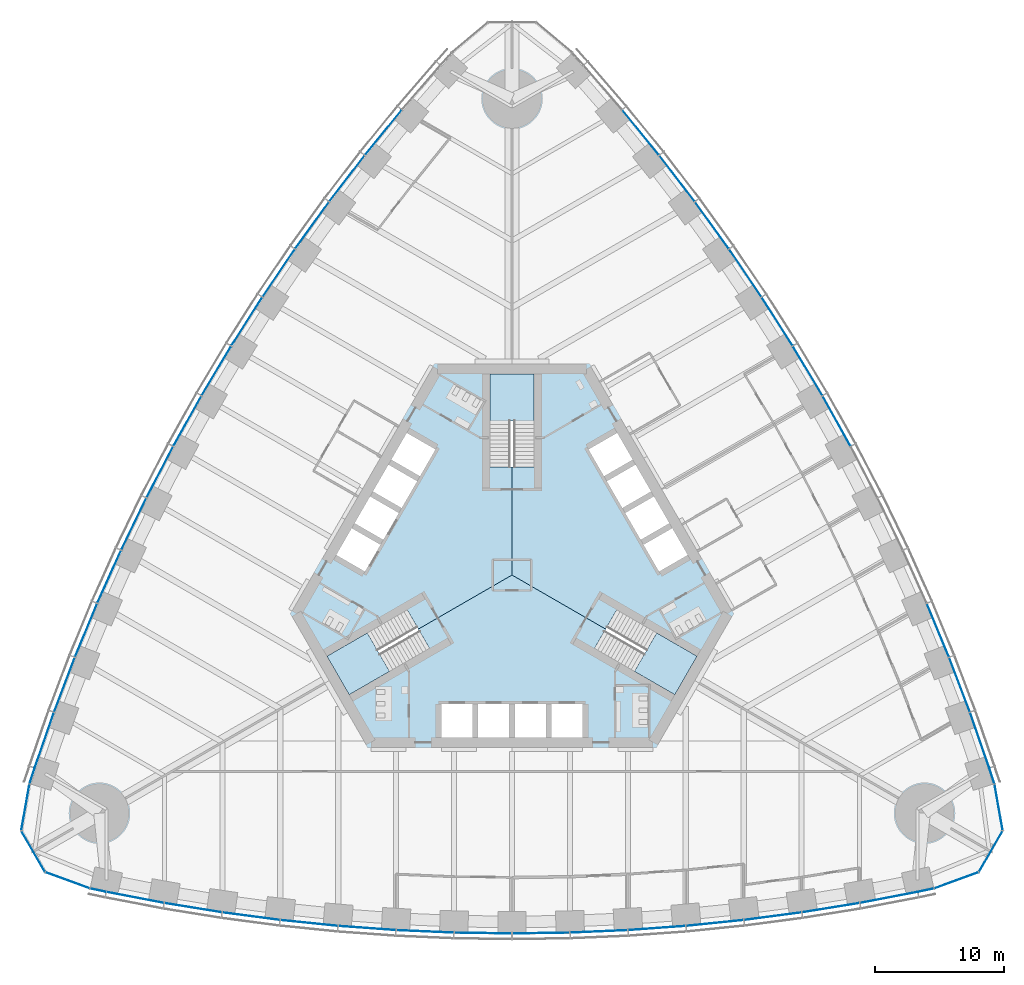
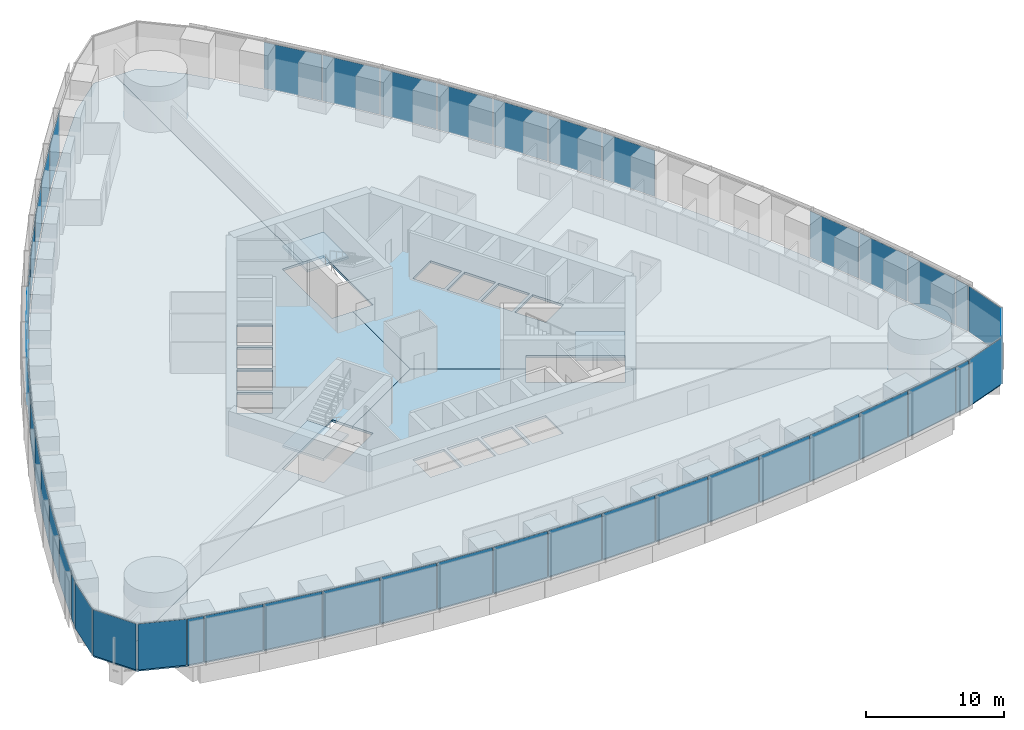
# One storey, part 8 of 19: 47 plates, 6 slabs, 8 elements without a shape of their own.
"""IFC4 building model written with IfcOpenShell, lengths in metres."""

from ifc_helpers import new_model, si_unit, direction, frame, origin, origin_2d, place, context, subcontext, project, spatial, polyline, rectangle, outline, extrude, material, layer, layer_set, type_object, element, aggregate, save


model = new_model("IFC4")

# Units and contexts
model_context = context("Model", 3, precision=1e-05, world=origin(), true_north=direction((0.0, 1.0)))
body_context = subcontext(model_context, "Body", "Model", "MODEL_VIEW")
ifc_project = project(units=[si_unit("LENGTHUNIT", "METRE"), si_unit("AREAUNIT", "SQUARE_METRE"), si_unit("VOLUMEUNIT", "CUBIC_METRE"), si_unit("PLANEANGLEUNIT", "RADIAN"), si_unit("MASSUNIT", "GRAM", prefix="KILO")], contexts=[model_context])

# Site, building, storey
site_placement = place(None, origin())
site = spatial("IfcSite", under=ifc_project, at=site_placement, CompositionType="ELEMENT")
building_placement = place(site_placement, origin())
building = spatial("IfcBuilding", under=site, at=building_placement, Name="Trefoil Bronze Tower", CompositionType="ELEMENT")
storey_placement = place(building_placement, frame((0.0, 0.0, 83.699951171875)))
storey = spatial("IfcBuildingStorey", under=building, at=storey_placement, Name="L19", CompositionType="ELEMENT", Elevation=83.699951171875)

# Curtain wall, plates
ifc_material_1 = material(Name="Tinted solar-control glass", Category="glass")
curtain_wall_type_1 = type_object("IfcCurtainWallType", Name="Bronze office curtain wall", PredefinedType="USERDEFINED", material=ifc_material_1)
curtain_wall_1_placement = place(storey_placement, origin())
curtain_wall_1 = element("IfcCurtainWall", 1, at=curtain_wall_1_placement, inside=storey, type_object=curtain_wall_type_1, Name="CW-A L19 F1", ObjectType="CURTAIN WALL", PredefinedType="USERDEFINED")
ifc_material_2 = material(Name="Tinted solar-control glass", Category="glass")
ifc_layer_1 = layer(ifc_material_2, 0.030029296875)
ifc_layer_set_1 = layer_set([ifc_layer_1], Name="Bronze office curtain wall glass panel")
plate_type_1 = type_object("IfcPlateType", Name="Bronze office curtain wall glass panel", PredefinedType="CURTAIN_PANEL", material=ifc_layer_set_1)
plate_1_placement = place(storey_placement, frame((-32.15185546875, -24.480224609375, 0.0), z_axis=(0.0, 0.0, 1.0), x_axis=(0.978302717041, -0.207180582657, 0.0)))
plate_1 = element("IfcPlate", 2, at=plate_1_placement, type_object=plate_type_1, Name="CW-A L19 F1 panel 1", PredefinedType="CURTAIN_PANEL", context=body_context, shape_type="SweptSolid", body=[
    extrude(rectangle(XDim=1.21044921875, YDim=0.030029296875, at=origin_2d()), origin(), (0.0, 0.0, 1.0), 4.080078125),
])
plate_2_placement = place(storey_placement, frame((-29.268798828125, -25.04638671875, 0.0), z_axis=(0.0, 0.0, 1.0), x_axis=(0.982049823817, -0.188621694249, 0.0)))
plate_2 = element("IfcPlate", 3, at=plate_2_placement, type_object=plate_type_1, Name="CW-A L19 F1 panel 2", PredefinedType="CURTAIN_PANEL", context=body_context, shape_type="SweptSolid", body=[
    extrude(rectangle(XDim=4.502197265625, YDim=0.030029296875, at=origin_2d()), origin(), (0.0, 0.0, 1.0), 4.080078125),
])
plate_3_placement = place(storey_placement, frame((-24.765869140625, -25.8427734375, 0.0), z_axis=(0.0, 0.0, 1.0), x_axis=(0.987181315145, -0.159602791421, 0.0)))
plate_3 = element("IfcPlate", 4, at=plate_3_placement, type_object=plate_type_1, Name="CW-A L19 F1 panel 3", PredefinedType="CURTAIN_PANEL", context=body_context, shape_type="SweptSolid", body=[
    extrude(rectangle(XDim=4.478515625, YDim=0.030029296875, at=origin_2d()), origin(), (0.0, 0.0, 1.0), 4.080078125),
])
plate_4_placement = place(storey_placement, frame((-20.262939453125, -26.50341796875, 0.0), z_axis=(0.0, 0.0, 1.0), x_axis=(0.991437251591, -0.130583981243, 0.0)))
plate_4 = element("IfcPlate", 5, at=plate_4_placement, type_object=plate_type_1, Name="CW-A L19 F1 panel 4", PredefinedType="CURTAIN_PANEL", context=body_context, shape_type="SweptSolid", body=[
    extrude(rectangle(XDim=4.458984375, YDim=0.030029296875, at=origin_2d()), origin(), (0.0, 0.0, 1.0), 4.080078125),
])
plate_5_placement = place(storey_placement, frame((-15.76025390625, -27.02978515625, 0.0), z_axis=(0.0, 0.0, 1.0), x_axis=(0.994828880293, -0.101565244717, 0.0)))
plate_5 = element("IfcPlate", 6, at=plate_5_placement, type_object=plate_type_1, Name="CW-A L19 F1 panel 5", PredefinedType="CURTAIN_PANEL", context=body_context, shape_type="SweptSolid", body=[
    extrude(rectangle(XDim=4.443359375, YDim=0.030029296875, at=origin_2d()), origin(), (0.0, 0.0, 1.0), 4.080078125),
])
plate_6_placement = place(storey_placement, frame((-11.25732421875, -27.42333984375, 0.0), z_axis=(0.0, 0.0, 1.0), x_axis=(0.99736502647, -0.072546564177, 0.0)))
plate_6 = element("IfcPlate", 7, at=plate_6_placement, type_object=plate_type_1, Name="CW-A L19 F1 panel 6", PredefinedType="CURTAIN_PANEL", context=body_context, shape_type="SweptSolid", body=[
    extrude(rectangle(XDim=4.431884765625, YDim=0.030029296875, at=origin_2d()), origin(), (0.0, 0.0, 1.0), 4.080078125),
])
plate_7_placement = place(storey_placement, frame((-6.75439453125, -27.685302734375, 0.0), z_axis=(0.0, 0.0, 1.0), x_axis=(0.999052210809, -0.043527922969, 0.0)))
plate_7 = element("IfcPlate", 8, at=plate_7_placement, type_object=plate_type_1, Name="CW-A L19 F1 panel 7", PredefinedType="CURTAIN_PANEL", context=body_context, shape_type="SweptSolid", body=[
    extrude(rectangle(XDim=4.42431640625, YDim=0.030029296875, at=origin_2d()), origin(), (0.0, 0.0, 1.0), 4.080078125),
])
plate_8_placement = place(storey_placement, frame((-2.25146484375, -27.816162109375, 0.0), z_axis=(0.0, 0.0, 1.0), x_axis=(0.999894734493, -0.014509305083, 0.0)))
plate_8 = element("IfcPlate", 9, at=plate_8_placement, type_object=plate_type_1, Name="CW-A L19 F1 panel 8", PredefinedType="CURTAIN_PANEL", context=body_context, shape_type="SweptSolid", body=[
    extrude(rectangle(XDim=4.42041015625, YDim=0.030029296875, at=origin_2d()), origin(), (0.0, 0.0, 1.0), 4.080078125),
])
plate_9_placement = place(storey_placement, frame((2.25146484375, -27.816162109375, 0.0), z_axis=(0.0, 0.0, 1.0), x_axis=(0.999894734493, 0.014509305083, 0.0)))
plate_9 = element("IfcPlate", 10, at=plate_9_placement, type_object=plate_type_1, Name="CW-A L19 F1 panel 9", PredefinedType="CURTAIN_PANEL", context=body_context, shape_type="SweptSolid", body=[
    extrude(rectangle(XDim=4.42041015625, YDim=0.030029296875, at=origin_2d()), origin(), (0.0, 0.0, 1.0), 4.080078125),
])
plate_10_placement = place(storey_placement, frame((6.75439453125, -27.685302734375, 0.0), z_axis=(0.0, 0.0, 1.0), x_axis=(0.999052210809, 0.043527922969, 0.0)))
plate_10 = element("IfcPlate", 11, at=plate_10_placement, type_object=plate_type_1, Name="CW-A L19 F1 panel 10", PredefinedType="CURTAIN_PANEL", context=body_context, shape_type="SweptSolid", body=[
    extrude(rectangle(XDim=4.42431640625, YDim=0.030029296875, at=origin_2d()), origin(), (0.0, 0.0, 1.0), 4.080078125),
])
plate_11_placement = place(storey_placement, frame((11.25732421875, -27.42333984375, 0.0), z_axis=(0.0, 0.0, 1.0), x_axis=(0.99736502647, 0.072546564177, 0.0)))
plate_11 = element("IfcPlate", 12, at=plate_11_placement, type_object=plate_type_1, Name="CW-A L19 F1 panel 11", PredefinedType="CURTAIN_PANEL", context=body_context, shape_type="SweptSolid", body=[
    extrude(rectangle(XDim=4.431884765625, YDim=0.030029296875, at=origin_2d()), origin(), (0.0, 0.0, 1.0), 4.080078125),
])
plate_12_placement = place(storey_placement, frame((15.76025390625, -27.02978515625, 0.0), z_axis=(0.0, 0.0, 1.0), x_axis=(0.994828880293, 0.101565244717, 0.0)))
plate_12 = element("IfcPlate", 13, at=plate_12_placement, type_object=plate_type_1, Name="CW-A L19 F1 panel 12", PredefinedType="CURTAIN_PANEL", context=body_context, shape_type="SweptSolid", body=[
    extrude(rectangle(XDim=4.443359375, YDim=0.030029296875, at=origin_2d()), origin(), (0.0, 0.0, 1.0), 4.080078125),
])
plate_13_placement = place(storey_placement, frame((20.262939453125, -26.50341796875, 0.0), z_axis=(0.0, 0.0, 1.0), x_axis=(0.991437251591, 0.130583981243, 0.0)))
plate_13 = element("IfcPlate", 14, at=plate_13_placement, type_object=plate_type_1, Name="CW-A L19 F1 panel 13", PredefinedType="CURTAIN_PANEL", context=body_context, shape_type="SweptSolid", body=[
    extrude(rectangle(XDim=4.458984375, YDim=0.030029296875, at=origin_2d()), origin(), (0.0, 0.0, 1.0), 4.080078125),
])
plate_14_placement = place(storey_placement, frame((24.765869140625, -25.8427734375, 0.0), z_axis=(0.0, 0.0, 1.0), x_axis=(0.987181315145, 0.159602791421, 0.0)))
plate_14 = element("IfcPlate", 15, at=plate_14_placement, type_object=plate_type_1, Name="CW-A L19 F1 panel 14", PredefinedType="CURTAIN_PANEL", context=body_context, shape_type="SweptSolid", body=[
    extrude(rectangle(XDim=4.478515625, YDim=0.030029296875, at=origin_2d()), origin(), (0.0, 0.0, 1.0), 4.080078125),
])
plate_15_placement = place(storey_placement, frame((29.268798828125, -25.04638671875, 0.0), z_axis=(0.0, 0.0, 1.0), x_axis=(0.982049823817, 0.188621694249, 0.0)))
plate_15 = element("IfcPlate", 16, at=plate_15_placement, type_object=plate_type_1, Name="CW-A L19 F1 panel 15", PredefinedType="CURTAIN_PANEL", context=body_context, shape_type="SweptSolid", body=[
    extrude(rectangle(XDim=4.502197265625, YDim=0.030029296875, at=origin_2d()), origin(), (0.0, 0.0, 1.0), 4.080078125),
])
plate_16_placement = place(storey_placement, frame((32.15185546875, -24.480224609375, 0.0), z_axis=(0.0, 0.0, 1.0), x_axis=(0.978302717041, 0.207180582657, 0.0)))
plate_16 = element("IfcPlate", 17, at=plate_16_placement, type_object=plate_type_1, Name="CW-A L19 F1 panel 16", PredefinedType="CURTAIN_PANEL", context=body_context, shape_type="SweptSolid", body=[
    extrude(rectangle(XDim=1.21044921875, YDim=0.030029296875, at=origin_2d()), origin(), (0.0, 0.0, 1.0), 4.080078125),
])
aggregate(curtain_wall_1, [plate_1, plate_2, plate_3, plate_4, plate_5, plate_6, plate_7, plate_8, plate_9, plate_10, plate_11, plate_12, plate_13, plate_14, plate_15, plate_16])

curtain_wall_2_placement = place(storey_placement, origin())
curtain_wall_2 = element("IfcCurtainWall", 18, at=curtain_wall_2_placement, inside=storey, type_object=curtain_wall_type_1, Name="CW-A L19 F2", ObjectType="CURTAIN WALL", PredefinedType="USERDEFINED")
plate_17_placement = place(storey_placement, frame((37.2763671875, -15.604248046875, 0.0), z_axis=(0.0, 0.0, 1.0), x_axis=(-0.309727710769, 0.950825296877, 0.0)))
plate_17 = element("IfcPlate", 19, at=plate_17_placement, type_object=plate_type_1, Name="CW-A L19 F2 panel 1", PredefinedType="CURTAIN_PANEL", context=body_context, shape_type="SweptSolid", body=[
    extrude(rectangle(XDim=1.21044921875, YDim=0.030029296875, at=origin_2d()), origin(), (0.0, 0.0, 1.0), 4.080078125),
])
plate_18_placement = place(storey_placement, frame((36.3251953125, -12.824462890625, 0.0), z_axis=(0.0, 0.0, 1.0), x_axis=(-0.327673732984, 0.944790942332, 0.0)))
plate_18 = element("IfcPlate", 20, at=plate_18_placement, type_object=plate_type_1, Name="CW-A L19 F2 panel 2", PredefinedType="CURTAIN_PANEL", context=body_context, shape_type="SweptSolid", body=[
    extrude(rectangle(XDim=4.502197265625, YDim=0.030029296875, at=origin_2d()), origin(), (0.0, 0.0, 1.0), 4.080078125),
])
plate_19_placement = place(storey_placement, frame((34.763427734375, -8.526611328125, 0.0), z_axis=(0.0, 0.0, 1.0), x_axis=(-0.355370585687, 0.934725492767, 0.0)))
plate_19 = element("IfcPlate", 21, at=plate_19_placement, type_object=plate_type_1, Name="CW-A L19 F2 panel 3", PredefinedType="CURTAIN_PANEL", context=body_context, shape_type="SweptSolid", body=[
    extrude(rectangle(XDim=4.478515625, YDim=0.030029296875, at=origin_2d()), origin(), (0.0, 0.0, 1.0), 4.080078125),
])
plate_20_placement = place(storey_placement, frame((33.084228515625, -4.296630859375, 0.0), z_axis=(0.0, 0.0, 1.0), x_axis=(-0.382629580712, 0.923901836758, 0.0)))
plate_20 = element("IfcPlate", 22, at=plate_20_placement, type_object=plate_type_1, Name="CW-A L19 F2 panel 4", PredefinedType="CURTAIN_PANEL", context=body_context, shape_type="SweptSolid", body=[
    extrude(rectangle(XDim=4.458984375, YDim=0.030029296875, at=origin_2d()), origin(), (0.0, 0.0, 1.0), 4.080078125),
])
plate_21_placement = place(storey_placement, frame((25.215087890625, 11.958251953125, 0.0), z_axis=(0.0, 0.0, 1.0), x_axis=(-0.487381940453, 0.873188893722, 0.0)))
plate_21 = element("IfcPlate", 23, at=plate_21_placement, type_object=plate_type_1, Name="CW-A L19 F2 panel 8", PredefinedType="CURTAIN_PANEL", context=body_context, shape_type="SweptSolid", body=[
    extrude(rectangle(XDim=4.42041015625, YDim=0.030029296875, at=origin_2d()), origin(), (0.0, 0.0, 1.0), 4.080078125),
])
plate_22_placement = place(storey_placement, frame((22.963623046875, 15.85791015625, 0.0), z_axis=(0.0, 0.0, 1.0), x_axis=(-0.51251279404, 0.858679588639, 0.0)))
plate_22 = element("IfcPlate", 24, at=plate_22_placement, type_object=plate_type_1, Name="CW-A L19 F2 panel 9", PredefinedType="CURTAIN_PANEL", context=body_context, shape_type="SweptSolid", body=[
    extrude(rectangle(XDim=4.42041015625, YDim=0.030029296875, at=origin_2d()), origin(), (0.0, 0.0, 1.0), 4.080078125),
])
plate_23_placement = place(storey_placement, frame((20.598876953125, 19.692138671875, 0.0), z_axis=(0.0, 0.0, 1.0), x_axis=(-0.537222392469, 0.843440632783, 0.0)))
plate_23 = element("IfcPlate", 25, at=plate_23_placement, type_object=plate_type_1, Name="CW-A L19 F2 panel 10", PredefinedType="CURTAIN_PANEL", context=body_context, shape_type="SweptSolid", body=[
    extrude(rectangle(XDim=4.42431640625, YDim=0.030029296875, at=origin_2d()), origin(), (0.0, 0.0, 1.0), 4.080078125),
])
plate_24_placement = place(storey_placement, frame((18.120849609375, 23.460693359375, 0.0), z_axis=(0.0, 0.0, 1.0), x_axis=(-0.56150968077, 0.827470167681, 0.0)))
plate_24 = element("IfcPlate", 26, at=plate_24_placement, type_object=plate_type_1, Name="CW-A L19 F2 panel 11", PredefinedType="CURTAIN_PANEL", context=body_context, shape_type="SweptSolid", body=[
    extrude(rectangle(XDim=4.431884765625, YDim=0.030029296875, at=origin_2d()), origin(), (0.0, 0.0, 1.0), 4.080078125),
])
plate_25_placement = place(storey_placement, frame((15.5283203125, 27.16357421875, 0.0), z_axis=(0.0, 0.0, 1.0), x_axis=(-0.585372522213, 0.810764460394, 0.0)))
plate_25 = element("IfcPlate", 27, at=plate_25_placement, type_object=plate_type_1, Name="CW-A L19 F2 panel 12", PredefinedType="CURTAIN_PANEL", context=body_context, shape_type="SweptSolid", body=[
    extrude(rectangle(XDim=4.443359375, YDim=0.030029296875, at=origin_2d()), origin(), (0.0, 0.0, 1.0), 4.080078125),
])
plate_26_placement = place(storey_placement, frame((12.821044921875, 30.800048828125, 0.0), z_axis=(0.0, 0.0, 1.0), x_axis=(-0.608807670879, 0.793317855515, 0.0)))
plate_26 = element("IfcPlate", 28, at=plate_26_placement, type_object=plate_type_1, Name="CW-A L19 F2 panel 13", PredefinedType="CURTAIN_PANEL", context=body_context, shape_type="SweptSolid", body=[
    extrude(rectangle(XDim=4.458984375, YDim=0.030029296875, at=origin_2d()), origin(), (0.0, 0.0, 1.0), 4.080078125),
])
plate_27_placement = place(storey_placement, frame((9.99755859375, 34.369384765625, 0.0), z_axis=(0.0, 0.0, 1.0), x_axis=(-0.631810729457, 0.775122701346, 0.0)))
plate_27 = element("IfcPlate", 29, at=plate_27_placement, type_object=plate_type_1, Name="CW-A L19 F2 panel 14", PredefinedType="CURTAIN_PANEL", context=body_context, shape_type="SweptSolid", body=[
    extrude(rectangle(XDim=4.478515625, YDim=0.030029296875, at=origin_2d()), origin(), (0.0, 0.0, 1.0), 4.080078125),
])
aggregate(curtain_wall_2, [plate_17, plate_18, plate_19, plate_20, plate_21, plate_22, plate_23, plate_24, plate_25, plate_26, plate_27])

curtain_wall_3_placement = place(storey_placement, origin())
curtain_wall_3 = element("IfcCurtainWall", 30, at=curtain_wall_3_placement, inside=storey, type_object=curtain_wall_type_1, Name="CW-A L19 F3", ObjectType="CURTAIN WALL", PredefinedType="USERDEFINED")
plate_28_placement = place(storey_placement, frame((-9.99755859375, 34.369384765625, 0.0), z_axis=(0.0, 0.0, 1.0), x_axis=(-0.631810729457, -0.775122701346, 0.0)))
plate_28 = element("IfcPlate", 31, at=plate_28_placement, type_object=plate_type_1, Name="CW-A L19 F3 panel 3", PredefinedType="CURTAIN_PANEL", context=body_context, shape_type="SweptSolid", body=[
    extrude(rectangle(XDim=4.478515625, YDim=0.030029296875, at=origin_2d()), origin(), (0.0, 0.0, 1.0), 4.080078125),
])
plate_29_placement = place(storey_placement, frame((-12.821044921875, 30.800048828125, 0.0), z_axis=(0.0, 0.0, 1.0), x_axis=(-0.608807670879, -0.793317855515, 0.0)))
plate_29 = element("IfcPlate", 32, at=plate_29_placement, type_object=plate_type_1, Name="CW-A L19 F3 panel 4", PredefinedType="CURTAIN_PANEL", context=body_context, shape_type="SweptSolid", body=[
    extrude(rectangle(XDim=4.458984375, YDim=0.030029296875, at=origin_2d()), origin(), (0.0, 0.0, 1.0), 4.080078125),
])
plate_30_placement = place(storey_placement, frame((-15.5283203125, 27.16357421875, 0.0), z_axis=(0.0, 0.0, 1.0), x_axis=(-0.585372522213, -0.810764460394, 0.0)))
plate_30 = element("IfcPlate", 33, at=plate_30_placement, type_object=plate_type_1, Name="CW-A L19 F3 panel 5", PredefinedType="CURTAIN_PANEL", context=body_context, shape_type="SweptSolid", body=[
    extrude(rectangle(XDim=4.443359375, YDim=0.030029296875, at=origin_2d()), origin(), (0.0, 0.0, 1.0), 4.080078125),
])
plate_31_placement = place(storey_placement, frame((-18.120849609375, 23.460693359375, 0.0), z_axis=(0.0, 0.0, 1.0), x_axis=(-0.56150968077, -0.827470167681, 0.0)))
plate_31 = element("IfcPlate", 34, at=plate_31_placement, type_object=plate_type_1, Name="CW-A L19 F3 panel 6", PredefinedType="CURTAIN_PANEL", context=body_context, shape_type="SweptSolid", body=[
    extrude(rectangle(XDim=4.431884765625, YDim=0.030029296875, at=origin_2d()), origin(), (0.0, 0.0, 1.0), 4.080078125),
])
plate_32_placement = place(storey_placement, frame((-20.598876953125, 19.692138671875, 0.0), z_axis=(0.0, 0.0, 1.0), x_axis=(-0.537222392469, -0.843440632783, 0.0)))
plate_32 = element("IfcPlate", 35, at=plate_32_placement, type_object=plate_type_1, Name="CW-A L19 F3 panel 7", PredefinedType="CURTAIN_PANEL", context=body_context, shape_type="SweptSolid", body=[
    extrude(rectangle(XDim=4.42431640625, YDim=0.030029296875, at=origin_2d()), origin(), (0.0, 0.0, 1.0), 4.080078125),
])
plate_33_placement = place(storey_placement, frame((-22.963623046875, 15.85791015625, 0.0), z_axis=(0.0, 0.0, 1.0), x_axis=(-0.51251279404, -0.858679588639, 0.0)))
plate_33 = element("IfcPlate", 36, at=plate_33_placement, type_object=plate_type_1, Name="CW-A L19 F3 panel 8", PredefinedType="CURTAIN_PANEL", context=body_context, shape_type="SweptSolid", body=[
    extrude(rectangle(XDim=4.42041015625, YDim=0.030029296875, at=origin_2d()), origin(), (0.0, 0.0, 1.0), 4.080078125),
])
plate_34_placement = place(storey_placement, frame((-25.215087890625, 11.958251953125, 0.0), z_axis=(0.0, 0.0, 1.0), x_axis=(-0.487381940453, -0.873188893722, 0.0)))
plate_34 = element("IfcPlate", 37, at=plate_34_placement, type_object=plate_type_1, Name="CW-A L19 F3 panel 9", PredefinedType="CURTAIN_PANEL", context=body_context, shape_type="SweptSolid", body=[
    extrude(rectangle(XDim=4.42041015625, YDim=0.030029296875, at=origin_2d()), origin(), (0.0, 0.0, 1.0), 4.080078125),
])
plate_35_placement = place(storey_placement, frame((-27.353271484375, 7.9931640625, 0.0), z_axis=(0.0, 0.0, 1.0), x_axis=(-0.46182981834, -0.886968555752, 0.0)))
plate_35 = element("IfcPlate", 38, at=plate_35_placement, type_object=plate_type_1, Name="CW-A L19 F3 panel 10", PredefinedType="CURTAIN_PANEL", context=body_context, shape_type="SweptSolid", body=[
    extrude(rectangle(XDim=4.42431640625, YDim=0.030029296875, at=origin_2d()), origin(), (0.0, 0.0, 1.0), 4.080078125),
])
plate_36_placement = place(storey_placement, frame((-29.3779296875, 3.962646484375, 0.0), z_axis=(0.0, 0.0, 1.0), x_axis=(-0.4358553457, -0.900016731858, 0.0)))
plate_36 = element("IfcPlate", 39, at=plate_36_placement, type_object=plate_type_1, Name="CW-A L19 F3 panel 11", PredefinedType="CURTAIN_PANEL", context=body_context, shape_type="SweptSolid", body=[
    extrude(rectangle(XDim=4.431884765625, YDim=0.030029296875, at=origin_2d()), origin(), (0.0, 0.0, 1.0), 4.080078125),
])
plate_37_placement = place(storey_placement, frame((-31.28857421875, -0.1337890625, 0.0), z_axis=(0.0, 0.0, 1.0), x_axis=(-0.40945635808, -0.912329705111, 0.0)))
plate_37 = element("IfcPlate", 40, at=plate_37_placement, type_object=plate_type_1, Name="CW-A L19 F3 panel 12", PredefinedType="CURTAIN_PANEL", context=body_context, shape_type="SweptSolid", body=[
    extrude(rectangle(XDim=4.443359375, YDim=0.030029296875, at=origin_2d()), origin(), (0.0, 0.0, 1.0), 4.080078125),
])
plate_38_placement = place(storey_placement, frame((-33.084228515625, -4.296630859375, 0.0), z_axis=(0.0, 0.0, 1.0), x_axis=(-0.382629580712, -0.923901836758, 0.0)))
plate_38 = element("IfcPlate", 41, at=plate_38_placement, type_object=plate_type_1, Name="CW-A L19 F3 panel 13", PredefinedType="CURTAIN_PANEL", context=body_context, shape_type="SweptSolid", body=[
    extrude(rectangle(XDim=4.458984375, YDim=0.030029296875, at=origin_2d()), origin(), (0.0, 0.0, 1.0), 4.080078125),
])
plate_39_placement = place(storey_placement, frame((-34.763427734375, -8.526611328125, 0.0), z_axis=(0.0, 0.0, 1.0), x_axis=(-0.355370585687, -0.934725492767, 0.0)))
plate_39 = element("IfcPlate", 42, at=plate_39_placement, type_object=plate_type_1, Name="CW-A L19 F3 panel 14", PredefinedType="CURTAIN_PANEL", context=body_context, shape_type="SweptSolid", body=[
    extrude(rectangle(XDim=4.478515625, YDim=0.030029296875, at=origin_2d()), origin(), (0.0, 0.0, 1.0), 4.080078125),
])
plate_40_placement = place(storey_placement, frame((-36.3251953125, -12.824462890625, 0.0), z_axis=(0.0, 0.0, 1.0), x_axis=(-0.327673732984, -0.944790942332, 0.0)))
plate_40 = element("IfcPlate", 43, at=plate_40_placement, type_object=plate_type_1, Name="CW-A L19 F3 panel 15", PredefinedType="CURTAIN_PANEL", context=body_context, shape_type="SweptSolid", body=[
    extrude(rectangle(XDim=4.502197265625, YDim=0.030029296875, at=origin_2d()), origin(), (0.0, 0.0, 1.0), 4.080078125),
])
plate_41_placement = place(storey_placement, frame((-37.2763671875, -15.604248046875, 0.0), z_axis=(0.0, 0.0, 1.0), x_axis=(-0.309727710769, -0.950825296877, 0.0)))
plate_41 = element("IfcPlate", 44, at=plate_41_placement, type_object=plate_type_1, Name="CW-A L19 F3 panel 16", PredefinedType="CURTAIN_PANEL", context=body_context, shape_type="SweptSolid", body=[
    extrude(rectangle(XDim=1.21044921875, YDim=0.030029296875, at=origin_2d()), origin(), (0.0, 0.0, 1.0), 4.080078125),
])
aggregate(curtain_wall_3, [plate_28, plate_29, plate_30, plate_31, plate_32, plate_33, plate_34, plate_35, plate_36, plate_37, plate_38, plate_39, plate_40, plate_41])

ifc_material_3 = material(Name="Tinted solar-control glass", Category="glass")
curtain_wall_type_2 = type_object("IfcCurtainWallType", Name="Bronze rounded corner curtain wall", PredefinedType="USERDEFINED", material=ifc_material_3)
curtain_wall_4_placement = place(storey_placement, origin())
curtain_wall_4 = element("IfcCurtainWall", 45, at=curtain_wall_4_placement, inside=storey, type_object=curtain_wall_type_2, Name="CW-B L19 K1", ObjectType="CURTAIN WALL", PredefinedType="USERDEFINED")
ifc_material_4 = material(Name="Tinted solar-control glass", Category="glass")
ifc_layer_2 = layer(ifc_material_4, 0.030029296875)
ifc_layer_set_2 = layer_set([ifc_layer_2], Name="Bronze rounded corner curtain wall glass panel")
plate_type_2 = type_object("IfcPlateType", Name="Bronze rounded corner curtain wall glass panel", PredefinedType="CURTAIN_PANEL", material=ifc_layer_set_2)
plate_42_placement = place(storey_placement, frame((34.5107421875, -23.71875, 0.0), z_axis=(0.0, 0.0, 1.0), x_axis=(0.939692620786, 0.342020143326, 0.0)))
plate_42 = element("IfcPlate", 46, at=plate_42_placement, type_object=plate_type_2, Name="CW-B L19 K1 panel 1", PredefinedType="CURTAIN_PANEL", context=body_context, shape_type="SweptSolid", body=[
    extrude(rectangle(XDim=3.588134765625, YDim=0.030029296875, at=origin_2d()), origin(), (0.0, 0.0, 1.0), 4.080078125),
])
plate_43_placement = place(storey_placement, frame((37.189208984375, -21.47119140625, 0.0), z_axis=(0.0, 0.0, 1.0), x_axis=(0.5, 0.866025403784, 0.0)))
plate_43 = element("IfcPlate", 47, at=plate_43_placement, type_object=plate_type_2, Name="CW-B L19 K1 panel 2", PredefinedType="CURTAIN_PANEL", context=body_context, shape_type="SweptSolid", body=[
    extrude(rectangle(XDim=3.588134765625, YDim=0.030029296875, at=origin_2d()), origin(), (0.0, 0.0, 1.0), 4.080078125),
])
plate_44_placement = place(storey_placement, frame((37.79638671875, -18.02783203125, 0.0), z_axis=(0.0, 0.0, 1.0), x_axis=(-0.173648177667, 0.984807753012, 0.0)))
plate_44 = element("IfcPlate", 48, at=plate_44_placement, type_object=plate_type_2, Name="CW-B L19 K1 panel 3", PredefinedType="CURTAIN_PANEL", context=body_context, shape_type="SweptSolid", body=[
    extrude(rectangle(XDim=3.588134765625, YDim=0.030029296875, at=origin_2d()), origin(), (0.0, 0.0, 1.0), 4.080078125),
])
aggregate(curtain_wall_4, [plate_42, plate_43, plate_44])

curtain_wall_5_placement = place(storey_placement, origin())
curtain_wall_5 = element("IfcCurtainWall", 49, at=curtain_wall_5_placement, inside=storey, type_object=curtain_wall_type_2, Name="CW-B L19 K3", ObjectType="CURTAIN WALL", PredefinedType="USERDEFINED")
plate_45_placement = place(storey_placement, frame((-37.79638671875, -18.02783203125, 0.0), z_axis=(0.0, 0.0, 1.0), x_axis=(-0.173648177667, -0.984807753012, 0.0)))
plate_45 = element("IfcPlate", 50, at=plate_45_placement, type_object=plate_type_2, Name="CW-B L19 K3 panel 1", PredefinedType="CURTAIN_PANEL", context=body_context, shape_type="SweptSolid", body=[
    extrude(rectangle(XDim=3.588134765625, YDim=0.030029296875, at=origin_2d()), origin(), (0.0, 0.0, 1.0), 4.080078125),
])
plate_46_placement = place(storey_placement, frame((-37.189208984375, -21.47119140625, 0.0), z_axis=(0.0, 0.0, 1.0), x_axis=(0.5, -0.866025403784, 0.0)))
plate_46 = element("IfcPlate", 51, at=plate_46_placement, type_object=plate_type_2, Name="CW-B L19 K3 panel 2", PredefinedType="CURTAIN_PANEL", context=body_context, shape_type="SweptSolid", body=[
    extrude(rectangle(XDim=3.588134765625, YDim=0.030029296875, at=origin_2d()), origin(), (0.0, 0.0, 1.0), 4.080078125),
])
plate_47_placement = place(storey_placement, frame((-34.5107421875, -23.71875, 0.0), z_axis=(0.0, 0.0, 1.0), x_axis=(0.939692620786, -0.342020143326, 0.0)))
plate_47 = element("IfcPlate", 52, at=plate_47_placement, type_object=plate_type_2, Name="CW-B L19 K3 panel 3", PredefinedType="CURTAIN_PANEL", context=body_context, shape_type="SweptSolid", body=[
    extrude(rectangle(XDim=3.588134765625, YDim=0.030029296875, at=origin_2d()), origin(), (0.0, 0.0, 1.0), 4.080078125),
])
aggregate(curtain_wall_5, [plate_45, plate_46, plate_47])

# Slabs
ifc_material_5 = material(Name="Concrete B30", Category="concrete")
ifc_layer_3 = layer(ifc_material_5, 0.199951171875)
ifc_layer_set_3 = layer_set([ifc_layer_3], Name="Floor slab 200")
slab_type_1 = type_object("IfcSlabType", Name="Floor slab 200", PredefinedType="FLOOR", material=ifc_layer_set_3)
slab_1_placement = place(storey_placement, frame((0.0, 0.0, -0.199951171875)))
element("IfcSlab", 53, at=slab_1_placement, inside=storey, type_object=slab_type_1, Name="Floor slab L19 face 1", PredefinedType="FLOOR", context=body_context, shape_type="SweptSolid", body=[
    extrude(outline(polyline([(27.0, -25.38037109375), (22.5, -26.10791015625), (18.0, -26.70068359375), (13.5, -27.159912109375), (9.0, -27.4873046875), (4.5, -27.683349609375), (0.0, -27.748779296875), (-4.5, -27.683349609375), (-9.0, -27.4873046875), (-13.5, -27.159912109375), (-18.0, -26.70068359375), (-22.5, -26.10791015625), (-27.0, -25.38037109375), (-31.5, -24.51611328125), (-32.762451171875, -24.248779296875), (-36.190673828125, -23.0009765625), (-37.1025390625, -21.421142578125), (-13.510009765625, -7.800048828125), (-12.6474609375, -9.2939453125), (-6.412109375, -5.69384765625), (-7.274658203125, -4.199951171875), (0.0, 0.0), (7.274658203125, -4.199951171875), (6.412109375, -5.69384765625), (12.6474609375, -9.2939453125), (13.510009765625, -7.800048828125), (37.1025390625, -21.421142578125), (36.190673828125, -23.0009765625), (32.762451171875, -24.248779296875), (31.5, -24.51611328125), (27.0, -25.38037109375)]), holes=[polyline([(-5.574951171875, -10.02490234375), (-2.97509765625, -10.02490234375), (-2.97509765625, -12.60009765625), (-5.574951171875, -12.60009765625), (-5.574951171875, -10.02490234375)]), polyline([(-2.72509765625, -10.02490234375), (-0.125, -10.02490234375), (-0.125, -12.60009765625), (-2.72509765625, -12.60009765625), (-2.72509765625, -10.02490234375)]), polyline([(0.125, -10.02490234375), (2.72509765625, -10.02490234375), (2.72509765625, -12.60009765625), (0.125, -12.60009765625), (0.125, -10.02490234375)]), polyline([(2.97509765625, -10.02490234375), (5.574951171875, -10.02490234375), (5.574951171875, -12.60009765625), (2.97509765625, -12.60009765625), (2.97509765625, -10.02490234375)])]), origin(), (0.0, 0.0, 1.0), 0.199951171875),
])
slab_2_placement = place(storey_placement, frame((0.0, 0.0, -0.199951171875)))
element("IfcSlab", 54, at=slab_2_placement, inside=storey, type_object=slab_type_1, Name="Floor slab L19 face 2", PredefinedType="FLOOR", context=body_context, shape_type="SweptSolid", body=[
    extrude(outline(polyline([(8.47998046875, 36.07275390625), (11.360107421875, 32.53955078125), (14.123291015625, 28.938720703125), (16.771240234375, 25.271240234375), (19.3046875, 21.537841796875), (21.724609375, 17.73876953125), (24.031005859375, 13.874267578125), (26.224609375, 9.944580078125), (28.3046875, 5.949462890625), (30.271240234375, 1.888671875), (32.123291015625, -2.238037109375), (33.860107421875, -6.431640625), (35.47998046875, -10.6923828125), (36.9814453125, -15.021728515625), (37.381103515625, -16.248779296875), (38.0146484375, -19.841552734375), (37.1025390625, -21.421142578125), (13.510009765625, -7.800048828125), (14.37255859375, -6.30615234375), (8.13720703125, -2.7060546875), (7.274658203125, -4.199951171875), (0.0, 0.0), (0.0, 8.39990234375), (1.72509765625, 8.39990234375), (1.72509765625, 15.60009765625), (0.0, 15.60009765625), (0.0, 42.842529296875), (1.82421875, 42.842529296875), (4.618896484375, 40.497314453125), (5.4814453125, 39.537841796875), (8.47998046875, 36.07275390625)]), holes=[polyline([(11.469482421875, 0.184326171875), (10.16943359375, 2.43603515625), (12.3994140625, 3.7236328125), (13.699462890625, 1.471923828125), (11.469482421875, 0.184326171875)]), polyline([(10.04443359375, 2.652587890625), (8.744384765625, 4.904296875), (10.974365234375, 6.191650390625), (12.2744140625, 3.940185546875), (10.04443359375, 2.652587890625)]), polyline([(8.619384765625, 5.120849609375), (7.3193359375, 7.372314453125), (9.54931640625, 8.659912109375), (10.849365234375, 6.408203125), (8.619384765625, 5.120849609375)]), polyline([(7.1943359375, 7.5888671875), (5.894287109375, 9.840576171875), (8.12451171875, 11.128173828125), (9.42431640625, 8.87646484375), (7.1943359375, 7.5888671875)])]), origin(), (0.0, 0.0, 1.0), 0.199951171875),
])
slab_3_placement = place(storey_placement, frame((0.0, 0.0, -0.199951171875)))
element("IfcSlab", 55, at=slab_3_placement, inside=storey, type_object=slab_type_1, Name="Floor slab L19 face 3", PredefinedType="FLOOR", context=body_context, shape_type="SweptSolid", body=[
    extrude(outline(polyline([(-35.47998046875, -10.6923828125), (-33.860107421875, -6.431640625), (-32.123291015625, -2.238037109375), (-30.271240234375, 1.888671875), (-28.3046875, 5.949462890625), (-26.224609375, 9.944580078125), (-24.031005859375, 13.874267578125), (-21.724609375, 17.73876953125), (-19.3046875, 21.537841796875), (-16.771240234375, 25.271240234375), (-14.123291015625, 28.938720703125), (-11.360107421875, 32.53955078125), (-8.47998046875, 36.07275390625), (-5.4814453125, 39.537841796875), (-4.618896484375, 40.497314453125), (-1.82421875, 42.842529296875), (0.0, 42.842529296875), (0.0, 15.60009765625), (-1.72509765625, 15.60009765625), (-1.72509765625, 8.39990234375), (0.0, 8.39990234375), (0.0, 0.0), (-7.274658203125, -4.199951171875), (-8.13720703125, -2.7060546875), (-14.37255859375, -6.30615234375), (-13.510009765625, -7.800048828125), (-37.1025390625, -21.421142578125), (-38.0146484375, -19.841552734375), (-37.381103515625, -16.248779296875), (-36.9814453125, -15.021728515625), (-35.47998046875, -10.6923828125)]), holes=[polyline([(-5.894287109375, 9.840576171875), (-7.1943359375, 7.5888671875), (-9.42431640625, 8.87646484375), (-8.12451171875, 11.128173828125), (-5.894287109375, 9.840576171875)]), polyline([(-7.3193359375, 7.372314453125), (-8.619384765625, 5.120849609375), (-10.849365234375, 6.408203125), (-9.54931640625, 8.659912109375), (-7.3193359375, 7.372314453125)]), polyline([(-8.744384765625, 4.904296875), (-10.04443359375, 2.652587890625), (-12.2744140625, 3.940185546875), (-10.974365234375, 6.191650390625), (-8.744384765625, 4.904296875)]), polyline([(-10.16943359375, 2.43603515625), (-11.469482421875, 0.184326171875), (-13.699462890625, 1.471923828125), (-12.3994140625, 3.7236328125), (-10.16943359375, 2.43603515625)])]), origin(), (0.0, 0.0, 1.0), 0.199951171875),
])

# Stair, slab
ifc_material_6 = material(Name="Precast concrete B80", Category="concrete")
stair_type = type_object("IfcStairType", Name="Exit stair 26 risers", PredefinedType="HALF_TURN_STAIR", material=ifc_material_6)
stair_1_placement = place(storey_placement, origin())
stair_1 = element("IfcStair", 56, at=stair_1_placement, inside=storey, type_object=stair_type, Name="Stair ST1 L19", PredefinedType="HALF_TURN_STAIR")
ifc_material_7 = material(Name="Concrete B30", Category="concrete")
ifc_layer_4 = layer(ifc_material_7, 0.199951171875)
ifc_layer_set_4 = layer_set([ifc_layer_4], Name="Stair landing 200")
slab_type_2 = type_object("IfcSlabType", Name="Stair landing 200", PredefinedType="LANDING", material=ifc_layer_set_4)
slab_4_placement = place(storey_placement, frame((0.0, 0.0, 1.900146484375)))
slab_4 = element("IfcSlab", 57, at=slab_4_placement, type_object=slab_type_2, Name="ST1 landing 1", PredefinedType="LANDING", context=body_context, shape_type="SweptSolid", body=[
    extrude(outline(polyline([(9.512451171875, -7.48388671875), (12.6474609375, -9.2939453125), (14.37255859375, -6.30615234375), (11.237548828125, -4.49609375), (9.512451171875, -7.48388671875)])), origin(), (0.0, 0.0, 1.0), 0.199951171875),
])
aggregate(stair_1, [slab_4])

stair_2_placement = place(storey_placement, origin())
stair_2 = element("IfcStair", 58, at=stair_2_placement, inside=storey, type_object=stair_type, Name="Stair ST2 L19", PredefinedType="HALF_TURN_STAIR")
slab_5_placement = place(storey_placement, frame((0.0, 0.0, 1.900146484375)))
slab_5 = element("IfcSlab", 59, at=slab_5_placement, type_object=slab_type_2, Name="ST2 landing 1", PredefinedType="LANDING", context=body_context, shape_type="SweptSolid", body=[
    extrude(outline(polyline([(1.72509765625, 11.97998046875), (1.72509765625, 15.60009765625), (-1.72509765625, 15.60009765625), (-1.72509765625, 11.97998046875), (1.72509765625, 11.97998046875)])), origin(), (0.0, 0.0, 1.0), 0.199951171875),
])
aggregate(stair_2, [slab_5])

stair_3_placement = place(storey_placement, origin())
stair_3 = element("IfcStair", 60, at=stair_3_placement, inside=storey, type_object=stair_type, Name="Stair ST3 L19", PredefinedType="HALF_TURN_STAIR")
slab_6_placement = place(storey_placement, frame((0.0, 0.0, 1.900146484375)))
slab_6 = element("IfcSlab", 61, at=slab_6_placement, type_object=slab_type_2, Name="ST3 landing 1", PredefinedType="LANDING", context=body_context, shape_type="SweptSolid", body=[
    extrude(outline(polyline([(-11.237548828125, -4.49609375), (-14.37255859375, -6.30615234375), (-12.6474609375, -9.2939453125), (-9.512451171875, -7.48388671875), (-11.237548828125, -4.49609375)])), origin(), (0.0, 0.0, 1.0), 0.199951171875),
])
aggregate(stair_3, [slab_6])

save(model, "model.ifc")
